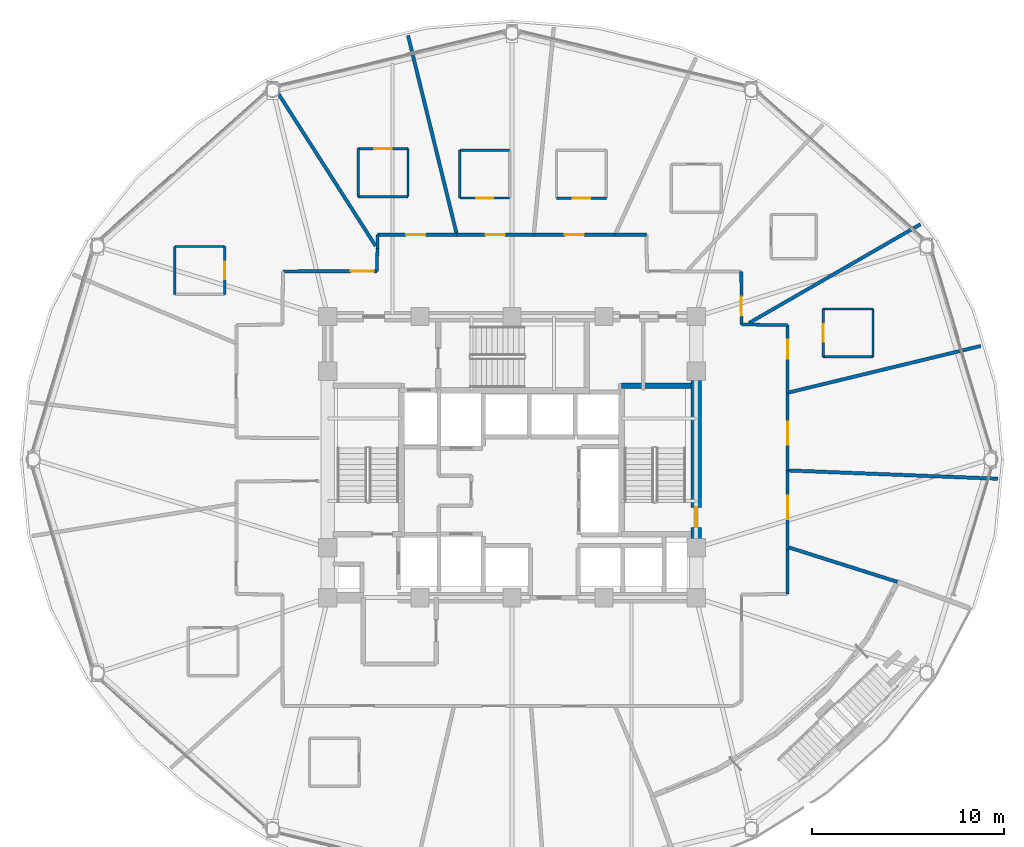
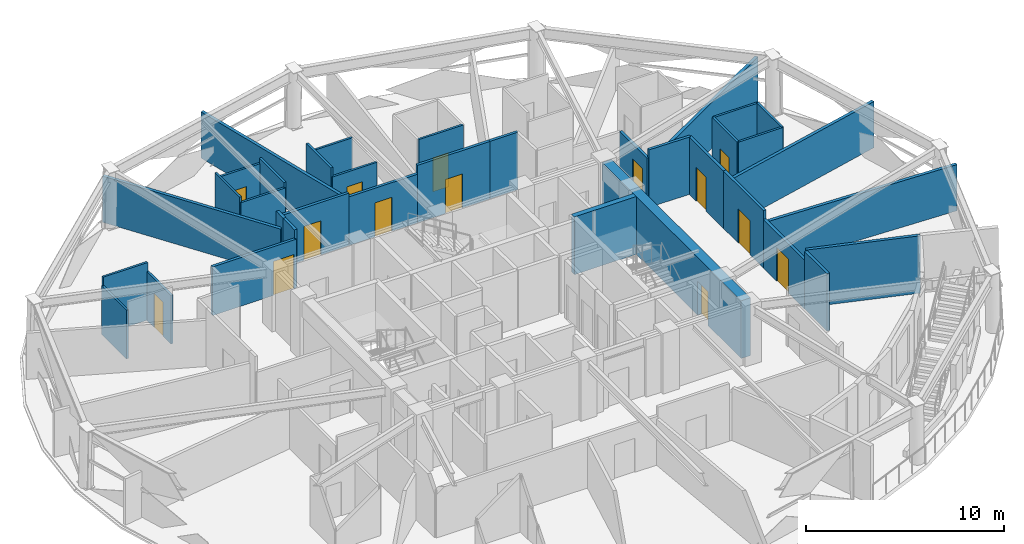
# One storey, part 13 of 18: 36 walls, 14 doors, 14 openings.
"""IFC4 building model written with IfcOpenShell, lengths in metres."""

from ifc_helpers import new_model, si_unit, direction, frame, frame_2d, origin, place, context, subcontext, project, spatial, rectangle, extrude, material, layer, layer_set, type_object, element, fill, save


model = new_model("IFC4")

# Units and contexts
model_context = context("Model", 3, precision=1e-05, world=origin(), true_north=direction((0.0, 1.0)))
body_context = subcontext(model_context, "Body", "Model", "MODEL_VIEW")
ifc_project = project(units=[si_unit("LENGTHUNIT", "METRE"), si_unit("AREAUNIT", "SQUARE_METRE"), si_unit("VOLUMEUNIT", "CUBIC_METRE"), si_unit("PLANEANGLEUNIT", "RADIAN"), si_unit("MASSUNIT", "GRAM", prefix="KILO")], contexts=[model_context])

# Site, building, storey
site_placement = place(None, origin())
site = spatial("IfcSite", under=ifc_project, at=site_placement, CompositionType="ELEMENT")
building_placement = place(site_placement, origin())
building = spatial("IfcBuilding", under=site, at=building_placement, Name="Vantalir Tower", CompositionType="ELEMENT")
storey_placement = place(building_placement, frame((0.0, 0.0, 138.449951171875)))
storey = spatial("IfcBuildingStorey", under=building, at=storey_placement, Name="L34", CompositionType="ELEMENT", Elevation=138.449951171875)

# Walls
ifc_material_1 = material(Name="Moisture-resistant en-suite partition", Category="gypsum")
ifc_layer_1 = layer(ifc_material_1, 0.125)
ifc_layer_set_1 = layer_set([ifc_layer_1], Name="Moisture-resistant en-suite partition")
wall_type_1 = type_object("IfcWallType", Name="WL-BATH-125", PredefinedType="PARTITIONING", material=ifc_layer_set_1)
for number, where, z_axis, x_axis, name in (
    (1, (47.714111328125, 30.34912109375, 0.0), (0.0, 0.0, 1.0), (1.0, 0.0, 0.0), "L34 En-suite 01 South Wall"),
    (2, (47.714111328125, 32.84912109375, 0.0), (0.0, 0.0, 1.0), (1.0, 0.0, 0.0), "L34 En-suite 01 North Wall"),
):
    element("IfcWall", number, at=place(storey_placement, frame(where, z_axis=z_axis, x_axis=x_axis)), inside=storey, type_object=wall_type_1, Name=name, PredefinedType="PARTITIONING", context=body_context, shape_type="SweptSolid", body=[
        extrude(rectangle(XDim=2.599853515625, YDim=0.125, at=frame_2d((1.2998046875, 0.0))), origin(), (0.0, 0.0, 1.0), 3.550048828125),
    ])

# Wall, opening, door
wall_1_placement = place(storey_placement, frame((47.714111328125, 30.34912109375, 0.0), z_axis=(0.0, 0.0, 1.0), x_axis=(0.0, 1.0, 0.0)))
wall_1 = element("IfcWall", 3, at=wall_1_placement, inside=storey, type_object=wall_type_1, Name="L34 En-suite 01 West Wall", PredefinedType="PARTITIONING", context=body_context, shape_type="SweptSolid", body=[
    extrude(rectangle(XDim=2.5, YDim=0.125, at=frame_2d((1.25, 0.0))), origin(), (0.0, 0.0, 1.0), 3.550048828125),
])
opening_1_placement = place(wall_1_placement, frame((0.800048828125, 0.0, 0.0)))
opening_1 = element("IfcOpeningElement", 4, at=opening_1_placement, cuts=wall_1, Name="Opening D-WC", PredefinedType="OPENING", context=body_context, shape_type="SweptSolid", body=[
    extrude(rectangle(XDim=0.89990234375, YDim=2.10009765625, at=frame_2d((0.449951171875, 1.050048828125))), frame((0.0, 0.072509765625, 0.0), z_axis=(0.0, -1.0, 0.0), x_axis=(1.0, 0.0, 0.0)), (0.0, 0.0, 1.0), 0.14501953125),
])
ifc_material_2 = material(Name="Moisture-resistant hardwood door", Category="wood")
door_type_1 = type_object("IfcDoorType", Name="DR-ENSUITE-900", OperationType="NOTDEFINED", PredefinedType="DOOR", material=ifc_material_2)
door_1_placement = place(opening_1_placement, frame((0.89990234375, 0.0, 0.0), z_axis=(0.0, 0.0, 1.0), x_axis=(-1.0, 0.0, 0.0)))
door_1 = element("IfcDoor", 5, at=door_1_placement, inside=storey, type_object=door_type_1, Name="L34 En-suite 01 Door", OperationType="SINGLE_SWING_RIGHT", OverallHeight=2.10009765625, OverallWidth=0.89990234375, PredefinedType="DOOR", context=body_context, shape_type="SweptSolid", body=[
    extrude(rectangle(XDim=0.89990234375, YDim=2.10009765625, at=frame_2d((0.449951171875, 1.050048828125))), frame((0.0, 0.02490234375, 0.0), z_axis=(0.0, -1.0, 0.0), x_axis=(1.0, 0.0, 0.0)), (0.0, 0.0, 1.0), 0.050048828125),
])
fill(opening_1, door_1)

# Wall
wall_2_placement = place(storey_placement, frame((50.31396484375, 30.34912109375, 0.0), z_axis=(0.0, 0.0, 1.0), x_axis=(0.0, 1.0, 0.0)))
element("IfcWall", 6, at=wall_2_placement, inside=storey, type_object=wall_type_1, Name="L34 En-suite 01 East Wall", PredefinedType="PARTITIONING", context=body_context, shape_type="SweptSolid", body=[
    extrude(rectangle(XDim=2.5, YDim=0.125, at=frame_2d((1.25, 0.0))), origin(), (0.0, 0.0, 1.0), 3.550048828125),
])

# Wall, opening, door
wall_3_placement = place(storey_placement, frame((33.820068359375, 38.62890625, 0.0), z_axis=(0.0, 0.0, 1.0), x_axis=(1.0, 0.0, 0.0)))
wall_3 = element("IfcWall", 7, at=wall_3_placement, inside=storey, type_object=wall_type_1, Name="L34 En-suite 04 South Wall", PredefinedType="PARTITIONING", context=body_context, shape_type="SweptSolid", body=[
    extrude(rectangle(XDim=2.599853515625, YDim=0.125, at=frame_2d((1.2998046875, 0.0))), origin(), (0.0, 0.0, 1.0), 3.550048828125),
])
opening_2_placement = place(wall_3_placement, frame((0.85009765625, 0.0, 0.0)))
opening_2 = element("IfcOpeningElement", 8, at=opening_2_placement, cuts=wall_3, Name="Opening D-WC", PredefinedType="OPENING", context=body_context, shape_type="SweptSolid", body=[
    extrude(rectangle(XDim=0.89990234375, YDim=2.10009765625, at=frame_2d((0.449951171875, 1.050048828125))), frame((0.0, 0.072509765625, 0.0), z_axis=(0.0, -1.0, 0.0), x_axis=(1.0, 0.0, 0.0)), (0.0, 0.0, 1.0), 0.14501953125),
])
door_2_placement = place(opening_2_placement, origin())
door_2 = element("IfcDoor", 9, at=door_2_placement, inside=storey, type_object=door_type_1, Name="L34 En-suite 04 Door", OperationType="SINGLE_SWING_LEFT", OverallHeight=2.10009765625, OverallWidth=0.89990234375, PredefinedType="DOOR", context=body_context, shape_type="SweptSolid", body=[
    extrude(rectangle(XDim=0.89990234375, YDim=2.10009765625, at=frame_2d((0.449951171875, 1.050048828125))), frame((0.0, 0.02490234375, 0.0), z_axis=(0.0, -1.0, 0.0), x_axis=(1.0, 0.0, 0.0)), (0.0, 0.0, 1.0), 0.050048828125),
])
fill(opening_2, door_2)

wall_4_placement = place(storey_placement, frame((28.777099609375, 38.631103515625, 0.0), z_axis=(0.0, 0.0, 1.0), x_axis=(1.0, 0.0, 0.0)))
wall_4 = element("IfcWall", 10, at=wall_4_placement, inside=storey, type_object=wall_type_1, Name="L34 En-suite 05 South Wall", PredefinedType="PARTITIONING", context=body_context, shape_type="SweptSolid", body=[
    extrude(rectangle(XDim=2.599853515625, YDim=0.125, at=frame_2d((1.2998046875, 0.0))), origin(), (0.0, 0.0, 1.0), 3.006103515625),
])
opening_3_placement = place(wall_4_placement, frame((0.85009765625, 0.0, 0.0)))
opening_3 = element("IfcOpeningElement", 11, at=opening_3_placement, cuts=wall_4, Name="Opening D-WC", PredefinedType="OPENING", context=body_context, shape_type="SweptSolid", body=[
    extrude(rectangle(XDim=0.89990234375, YDim=2.10009765625, at=frame_2d((0.449951171875, 1.050048828125))), frame((0.0, 0.072509765625, 0.0), z_axis=(0.0, -1.0, 0.0), x_axis=(1.0, 0.0, 0.0)), (0.0, 0.0, 1.0), 0.14501953125),
])
door_3_placement = place(opening_3_placement, origin())
door_3 = element("IfcDoor", 12, at=door_3_placement, inside=storey, type_object=door_type_1, Name="L34 En-suite 05 Door", OperationType="SINGLE_SWING_RIGHT", OverallHeight=2.10009765625, OverallWidth=0.89990234375, PredefinedType="DOOR", context=body_context, shape_type="SweptSolid", body=[
    extrude(rectangle(XDim=0.89990234375, YDim=2.10009765625, at=frame_2d((0.449951171875, 1.050048828125))), frame((0.0, 0.02490234375, 0.0), z_axis=(0.0, -1.0, 0.0), x_axis=(1.0, 0.0, 0.0)), (0.0, 0.0, 1.0), 0.050048828125),
])
fill(opening_3, door_3)

# Walls
wall_5_placement = place(storey_placement, frame((28.777099609375, 41.131103515625, 0.0), z_axis=(0.0, 0.0, 1.0), x_axis=(1.0, 0.0, 0.0)))
element("IfcWall", 13, at=wall_5_placement, inside=storey, type_object=wall_type_1, Name="L34 En-suite 05 North Wall", PredefinedType="PARTITIONING", context=body_context, shape_type="SweptSolid", body=[
    extrude(rectangle(XDim=2.599853515625, YDim=0.125, at=frame_2d((1.2998046875, 0.0))), origin(), (0.0, 0.0, 1.0), 3.006103515625),
])
wall_6_placement = place(storey_placement, frame((28.777099609375, 38.631103515625, 0.0), z_axis=(0.0, 0.0, 1.0), x_axis=(0.0, 1.0, 0.0)))
element("IfcWall", 14, at=wall_6_placement, inside=storey, type_object=wall_type_1, Name="L34 En-suite 05 West Wall", PredefinedType="PARTITIONING", context=body_context, shape_type="SweptSolid", body=[
    extrude(rectangle(XDim=2.5, YDim=0.125, at=frame_2d((1.25, 0.0))), origin(), (0.0, 0.0, 1.0), 3.550048828125),
])
wall_7_placement = place(storey_placement, frame((23.47705078125, 38.700927734375, 0.0), z_axis=(0.0, 0.0, 1.0), x_axis=(1.0, 0.0, 0.0)))
element("IfcWall", 15, at=wall_7_placement, inside=storey, type_object=wall_type_1, Name="L34 En-suite 06 South Wall", PredefinedType="PARTITIONING", context=body_context, shape_type="SweptSolid", body=[
    extrude(rectangle(XDim=2.599853515625, YDim=0.125, at=frame_2d((1.2998046875, 0.0))), origin(), (0.0, 0.0, 1.0), 3.238037109375),
])

# Wall, opening, door
wall_8_placement = place(storey_placement, frame((23.47705078125, 41.200927734375, 0.0), z_axis=(0.0, 0.0, 1.0), x_axis=(1.0, 0.0, 0.0)))
wall_8 = element("IfcWall", 16, at=wall_8_placement, inside=storey, type_object=wall_type_1, Name="L34 En-suite 06 North Wall", PredefinedType="PARTITIONING", context=body_context, shape_type="SweptSolid", body=[
    extrude(rectangle(XDim=2.599853515625, YDim=0.125, at=frame_2d((1.2998046875, 0.0))), origin(), (0.0, 0.0, 1.0), 3.238037109375),
])
opening_4_placement = place(wall_8_placement, frame((0.85009765625, 0.0, 0.0)))
opening_4 = element("IfcOpeningElement", 17, at=opening_4_placement, cuts=wall_8, Name="Opening D-WC", PredefinedType="OPENING", context=body_context, shape_type="SweptSolid", body=[
    extrude(rectangle(XDim=0.89990234375, YDim=2.10009765625, at=frame_2d((0.449951171875, 1.050048828125))), frame((0.0, 0.072509765625, 0.0), z_axis=(0.0, -1.0, 0.0), x_axis=(1.0, 0.0, 0.0)), (0.0, 0.0, 1.0), 0.14501953125),
])
door_4_placement = place(opening_4_placement, frame((0.89990234375, 0.0, 0.0), z_axis=(0.0, 0.0, 1.0), x_axis=(-1.0, 0.0, 0.0)))
door_4 = element("IfcDoor", 18, at=door_4_placement, inside=storey, type_object=door_type_1, Name="L34 En-suite 06 Door", OperationType="SINGLE_SWING_LEFT", OverallHeight=2.10009765625, OverallWidth=0.89990234375, PredefinedType="DOOR", context=body_context, shape_type="SweptSolid", body=[
    extrude(rectangle(XDim=0.89990234375, YDim=2.10009765625, at=frame_2d((0.449951171875, 1.050048828125))), frame((0.0, 0.02490234375, 0.0), z_axis=(0.0, -1.0, 0.0), x_axis=(1.0, 0.0, 0.0)), (0.0, 0.0, 1.0), 0.050048828125),
])
fill(opening_4, door_4)

# Walls
for number, where, z_axis, x_axis, name in (
    (19, (23.47705078125, 38.700927734375, 0.0), (0.0, 0.0, 1.0), (0.0, 1.0, 0.0), "L34 En-suite 06 West Wall"),
    (20, (26.076904296875, 38.700927734375, 0.0), (0.0, 0.0, 1.0), (0.0, 1.0, 0.0), "L34 En-suite 06 East Wall"),
):
    element("IfcWall", number, at=place(storey_placement, frame(where, z_axis=z_axis, x_axis=x_axis)), inside=storey, type_object=wall_type_1, Name=name, PredefinedType="PARTITIONING", context=body_context, shape_type="SweptSolid", body=[
        extrude(rectangle(XDim=2.5, YDim=0.125, at=frame_2d((1.25, 0.0))), origin(), (0.0, 0.0, 1.0), 3.550048828125),
    ])
wall_9_placement = place(storey_placement, frame((13.924072265625, 36.10595703125, 0.0), z_axis=(0.0, 0.0, 1.0), x_axis=(1.0, 0.0, 0.0)))
element("IfcWall", 21, at=wall_9_placement, inside=storey, type_object=wall_type_1, Name="L34 En-suite 07 North Wall", PredefinedType="PARTITIONING", context=body_context, shape_type="SweptSolid", body=[
    extrude(rectangle(XDim=2.599853515625, YDim=0.125, at=frame_2d((1.2998046875, 0.0))), origin(), (0.0, 0.0, 1.0), 3.550048828125),
])
wall_10_placement = place(storey_placement, frame((13.924072265625, 33.60595703125, 0.0), z_axis=(0.0, 0.0, 1.0), x_axis=(0.0, 1.0, 0.0)))
element("IfcWall", 22, at=wall_10_placement, inside=storey, type_object=wall_type_1, Name="L34 En-suite 07 West Wall", PredefinedType="PARTITIONING", context=body_context, shape_type="SweptSolid", body=[
    extrude(rectangle(XDim=2.5, YDim=0.125, at=frame_2d((1.25, 0.0))), origin(), (0.0, 0.0, 1.0), 3.006103515625),
])

# Wall, opening, door
wall_11_placement = place(storey_placement, frame((16.52392578125, 33.60595703125, 0.0), z_axis=(0.0, 0.0, 1.0), x_axis=(0.0, 1.0, 0.0)))
wall_11 = element("IfcWall", 23, at=wall_11_placement, inside=storey, type_object=wall_type_1, Name="L34 En-suite 07 East Wall", PredefinedType="PARTITIONING", context=body_context, shape_type="SweptSolid", body=[
    extrude(rectangle(XDim=2.5, YDim=0.125, at=frame_2d((1.25, 0.0))), origin(), (0.0, 0.0, 1.0), 3.006103515625),
])
opening_5_placement = place(wall_11_placement, frame((0.800048828125, 0.0, 0.0)))
opening_5 = element("IfcOpeningElement", 24, at=opening_5_placement, cuts=wall_11, Name="Opening D-WC", PredefinedType="OPENING", context=body_context, shape_type="SweptSolid", body=[
    extrude(rectangle(XDim=0.89990234375, YDim=2.10009765625, at=frame_2d((0.449951171875, 1.050048828125))), frame((0.0, 0.072509765625, 0.0), z_axis=(0.0, -1.0, 0.0), x_axis=(1.0, 0.0, 0.0)), (0.0, 0.0, 1.0), 0.14501953125),
])
door_5_placement = place(opening_5_placement, origin())
door_5 = element("IfcDoor", 25, at=door_5_placement, inside=storey, type_object=door_type_1, Name="L34 En-suite 07 Door", OperationType="SINGLE_SWING_RIGHT", OverallHeight=2.10009765625, OverallWidth=0.89990234375, PredefinedType="DOOR", context=body_context, shape_type="SweptSolid", body=[
    extrude(rectangle(XDim=0.89990234375, YDim=2.10009765625, at=frame_2d((0.449951171875, 1.050048828125))), frame((0.0, 0.02490234375, 0.0), z_axis=(0.0, -1.0, 0.0), x_axis=(1.0, 0.0, 0.0)), (0.0, 0.0, 1.0), 0.050048828125),
])
fill(opening_5, door_5)

ifc_material_3 = material(Name="Concrete C60/75", Category="concrete")
ifc_layer_2 = layer(ifc_material_3, 0.550048828125)
ifc_layer_set_2 = layer_set([ifc_layer_2], Name="Concrete C60/75")
wall_type_2 = type_object("IfcWallType", Name="WL-CORE-550", PredefinedType="SHEAR", material=ifc_layer_set_2)
wall_12_placement = place(storey_placement, frame((41.10009765625, 18.074951171875, 0.0), z_axis=(0.0, 0.0, 1.0), x_axis=(0.0, 1.0, 0.0)))
wall_12 = element("IfcWall", 26, at=wall_12_placement, inside=storey, type_object=wall_type_2, Name="L34 Core Shear Wall East", PredefinedType="SHEAR", context=body_context, shape_type="SweptSolid", body=[
    extrude(rectangle(XDim=14.10009765625, YDim=0.550048828125, at=frame_2d((7.050048828125, 0.0))), origin(), (0.0, 0.0, 1.0), 3.570068359375),
])
opening_6_placement = place(wall_12_placement, frame((3.385009765625, 0.0, 0.0)))
opening_6 = element("IfcOpeningElement", 27, at=opening_6_placement, cuts=wall_12, Name="Opening D-ST", PredefinedType="OPENING", context=body_context, shape_type="SweptSolid", body=[
    extrude(rectangle(XDim=1.050048828125, YDim=2.10009765625, at=frame_2d((0.52490234375, 1.050048828125))), frame((0.0, 0.284912109375, 0.0), z_axis=(0.0, -1.0, 0.0), x_axis=(1.0, 0.0, 0.0)), (0.0, 0.0, 1.0), 0.570068359375),
])
ifc_material_4 = material(Name="Fire-rated steel door leaf", Category="steel")
door_type_2 = type_object("IfcDoorType", Name="DR-FIRE-STAIR-1050", OperationType="NOTDEFINED", PredefinedType="DOOR", material=ifc_material_4)
door_6_placement = place(opening_6_placement, origin())
door_6 = element("IfcDoor", 28, at=door_6_placement, inside=storey, type_object=door_type_2, Name="L34 Exit Stair ST2 Fire Door", OperationType="SINGLE_SWING_LEFT", OverallHeight=2.10009765625, OverallWidth=1.050048828125, PredefinedType="DOOR", context=body_context, shape_type="SweptSolid", body=[
    extrude(rectangle(XDim=1.050048828125, YDim=2.10009765625, at=frame_2d((0.52490234375, 1.050048828125))), frame((0.0, 0.02490234375, 0.0), z_axis=(0.0, -1.0, 0.0), x_axis=(1.0, 0.0, 0.0)), (0.0, 0.0, 1.0), 0.050048828125),
])
fill(opening_6, door_6)

ifc_material_5 = material(Name="Fire-rated hotel corridor acoustic partition", Category="gypsum")
ifc_layer_3 = layer(ifc_material_5, 0.159912109375)
ifc_layer_set_3 = layer_set([ifc_layer_3], Name="Fire-rated hotel corridor acoustic partition")
wall_type_3 = type_object("IfcWallType", Name="WL-CORR-160", PredefinedType="PARTITIONING", material=ifc_layer_set_3)
wall_13_placement = place(storey_placement, frame((19.56005859375, 34.81201171875, 0.0), z_axis=(0.0, 0.0, 1.0), x_axis=(0.999999821253, 0.000597907217, 0.0)))
wall_13 = element("IfcWall", 29, at=wall_13_placement, inside=storey, type_object=wall_type_3, Name="L34 Corridor Partition 07", PredefinedType="PARTITIONING", context=body_context, shape_type="SweptSolid", body=[
    extrude(rectangle(XDim=4.89990234375, YDim=0.159912109375, at=frame_2d((2.449951171875, 0.0))), origin(), (0.0, 0.0, 1.0), 3.006103515625),
])
opening_7_placement = place(wall_13_placement, frame((3.5400390625, 0.0, 0.0)))
opening_7 = element("IfcOpeningElement", 30, at=opening_7_placement, cuts=wall_13, Name="Opening D-STE", PredefinedType="OPENING", context=body_context, shape_type="SweptSolid", body=[
    extrude(rectangle(XDim=1.199951171875, YDim=2.10009765625, at=frame_2d((0.60009765625, 1.050048828125))), frame((0.0, 0.08984375, 0.0), z_axis=(0.0, -1.0, 0.0), x_axis=(1.0, 0.0, 0.0)), (0.0, 0.0, 1.0), 0.179931640625),
])
ifc_material_6 = material(Name="Solid-core teak veneer suite entrance door", Category="wood")
door_type_3 = type_object("IfcDoorType", Name="DR-SUITE-ENTRY-1200", OperationType="NOTDEFINED", PredefinedType="DOOR", material=ifc_material_6)
door_7_placement = place(opening_7_placement, origin())
door_7 = element("IfcDoor", 31, at=door_7_placement, inside=storey, type_object=door_type_3, Name="L34 Executive Club Hotel Suite 07 Door", OperationType="SINGLE_SWING_RIGHT", OverallHeight=2.10009765625, OverallWidth=1.199951171875, PredefinedType="DOOR", context=body_context, shape_type="SweptSolid", body=[
    extrude(rectangle(XDim=1.199951171875, YDim=2.10009765625, at=frame_2d((0.60009765625, 1.050048828125))), frame((0.0, 0.02490234375, 0.0), z_axis=(0.0, -1.0, 0.0), x_axis=(1.0, 0.0, 0.0)), (0.0, 0.0, 1.0), 0.050048828125),
])
fill(opening_7, door_7)

# Walls
wall_14_placement = place(storey_placement, frame((24.4599609375, 34.81494140625, 0.0), z_axis=(0.0, 0.0, 1.0), x_axis=(0.018696087505, 0.999825212881, 0.0)))
element("IfcWall", 32, at=wall_14_placement, inside=storey, type_object=wall_type_3, Name="L34 Corridor Partition 08", PredefinedType="PARTITIONING", context=body_context, shape_type="SweptSolid", body=[
    extrude(rectangle(XDim=1.17529296875, YDim=0.159912109375, at=frame_2d((0.587646484375, 0.0))), origin(), (0.0, 0.0, 1.0), 3.550048828125),
])
wall_15_placement = place(storey_placement, frame((24.48193359375, 35.989990234375, 0.0), z_axis=(0.0, 0.0, 1.0), x_axis=(0.019524896808, 0.999809371033, 0.0)))
element("IfcWall", 33, at=wall_15_placement, inside=storey, type_object=wall_type_3, Name="L34 Corridor Partition 09", PredefinedType="PARTITIONING", context=body_context, shape_type="SweptSolid", body=[
    extrude(rectangle(XDim=0.725341796875, YDim=0.159912109375, at=frame_2d((0.36279296875, 0.0))), origin(), (0.0, 0.0, 1.0), 3.550048828125),
])

# Wall, opening, door
wall_16_placement = place(storey_placement, frame((24.49609375, 36.715087890625, 0.0), z_axis=(0.0, 0.0, 1.0), x_axis=(1.0, 0.0, 0.0)))
wall_16 = element("IfcWall", 34, at=wall_16_placement, inside=storey, type_object=wall_type_3, Name="L34 Corridor Partition 10", PredefinedType="PARTITIONING", context=body_context, shape_type="SweptSolid", body=[
    extrude(rectangle(XDim=4.130859375, YDim=0.159912109375, at=frame_2d((2.0654296875, 0.0))), origin(), (0.0, 0.0, 1.0), 3.238037109375),
])
opening_8_placement = place(wall_16_placement, frame((1.491943359375, 0.0, 0.0)))
opening_8 = element("IfcOpeningElement", 35, at=opening_8_placement, cuts=wall_16, Name="Opening D-GUEST", PredefinedType="OPENING", context=body_context, shape_type="SweptSolid", body=[
    extrude(rectangle(XDim=1.0, YDim=2.10009765625, at=frame_2d((0.5, 1.050048828125))), frame((0.0, 0.08984375, 0.0), z_axis=(0.0, -1.0, 0.0), x_axis=(1.0, 0.0, 0.0)), (0.0, 0.0, 1.0), 0.179931640625),
])
ifc_material_7 = material(Name="Solid-core teak veneer acoustic fire door", Category="wood")
door_type_4 = type_object("IfcDoorType", Name="DR-GUEST-ENTRY-1000", OperationType="NOTDEFINED", PredefinedType="DOOR", material=ifc_material_7)
door_8_placement = place(opening_8_placement, origin())
door_8 = element("IfcDoor", 36, at=door_8_placement, inside=storey, type_object=door_type_4, Name="L34 Deluxe King Hotel Room 06 Door", OperationType="SINGLE_SWING_LEFT", OverallHeight=2.10009765625, OverallWidth=1.0, PredefinedType="DOOR", context=body_context, shape_type="SweptSolid", body=[
    extrude(rectangle(XDim=1.0, YDim=2.10009765625, at=frame_2d((0.5, 1.050048828125))), frame((0.0, 0.02490234375, 0.0), z_axis=(0.0, -1.0, 0.0), x_axis=(1.0, 0.0, 0.0)), (0.0, 0.0, 1.0), 0.050048828125),
])
fill(opening_8, door_8)

wall_17_placement = place(storey_placement, frame((28.626953125, 36.715087890625, 0.0), z_axis=(0.0, 0.0, 1.0), x_axis=(1.0, 0.0, 0.0)))
wall_17 = element("IfcWall", 37, at=wall_17_placement, inside=storey, type_object=wall_type_3, Name="L34 Corridor Partition 11", PredefinedType="PARTITIONING", context=body_context, shape_type="SweptSolid", body=[
    extrude(rectangle(XDim=4.007080078125, YDim=0.159912109375, at=frame_2d((2.00341796875, 0.0))), origin(), (0.0, 0.0, 1.0), 3.006103515625),
])
opening_9_placement = place(wall_17_placement, frame((1.50390625, 0.0, 0.0)))
opening_9 = element("IfcOpeningElement", 38, at=opening_9_placement, cuts=wall_17, Name="Opening D-GUEST", PredefinedType="OPENING", context=body_context, shape_type="SweptSolid", body=[
    extrude(rectangle(XDim=1.0, YDim=2.10009765625, at=frame_2d((0.5, 1.050048828125))), frame((0.0, 0.08984375, 0.0), z_axis=(0.0, -1.0, 0.0), x_axis=(1.0, 0.0, 0.0)), (0.0, 0.0, 1.0), 0.179931640625),
])
door_9_placement = place(opening_9_placement, origin())
door_9 = element("IfcDoor", 39, at=door_9_placement, inside=storey, type_object=door_type_4, Name="L34 Twin Queen Hotel Room 05 Door", OperationType="SINGLE_SWING_RIGHT", OverallHeight=2.10009765625, OverallWidth=1.0, PredefinedType="DOOR", context=body_context, shape_type="SweptSolid", body=[
    extrude(rectangle(XDim=1.0, YDim=2.10009765625, at=frame_2d((0.5, 1.050048828125))), frame((0.0, 0.02490234375, 0.0), z_axis=(0.0, -1.0, 0.0), x_axis=(1.0, 0.0, 0.0)), (0.0, 0.0, 1.0), 0.050048828125),
])
fill(opening_9, door_9)

wall_18_placement = place(storey_placement, frame((32.634033203125, 36.715087890625, 0.0), z_axis=(0.0, 0.0, 1.0), x_axis=(1.0, 0.0, 0.0)))
wall_18 = element("IfcWall", 40, at=wall_18_placement, inside=storey, type_object=wall_type_3, Name="L34 Corridor Partition 12", PredefinedType="PARTITIONING", context=body_context, shape_type="SweptSolid", body=[
    extrude(rectangle(XDim=4.23291015625, YDim=0.159912109375, at=frame_2d((2.116455078125, 0.0))), origin(), (0.0, 0.0, 1.0), 3.550048828125),
])
opening_10_placement = place(wall_18_placement, frame((1.615966796875, 0.0, 0.0)))
opening_10 = element("IfcOpeningElement", 41, at=opening_10_placement, cuts=wall_18, Name="Opening D-GUEST", PredefinedType="OPENING", context=body_context, shape_type="SweptSolid", body=[
    extrude(rectangle(XDim=1.0, YDim=2.10009765625, at=frame_2d((0.5, 1.050048828125))), frame((0.0, 0.08984375, 0.0), z_axis=(0.0, -1.0, 0.0), x_axis=(1.0, 0.0, 0.0)), (0.0, 0.0, 1.0), 0.179931640625),
])
door_10_placement = place(opening_10_placement, origin())
door_10 = element("IfcDoor", 42, at=door_10_placement, inside=storey, type_object=door_type_4, Name="L34 Twin Queen Hotel Room 04 Door", OperationType="SINGLE_SWING_LEFT", OverallHeight=2.10009765625, OverallWidth=1.0, PredefinedType="DOOR", context=body_context, shape_type="SweptSolid", body=[
    extrude(rectangle(XDim=1.0, YDim=2.10009765625, at=frame_2d((0.5, 1.050048828125))), frame((0.0, 0.02490234375, 0.0), z_axis=(0.0, -1.0, 0.0), x_axis=(1.0, 0.0, 0.0)), (0.0, 0.0, 1.0), 0.050048828125),
])
fill(opening_10, door_10)

# Wall
wall_19_placement = place(storey_placement, frame((36.866943359375, 36.715087890625, 0.0), z_axis=(0.0, 0.0, 1.0), x_axis=(1.0, 0.0, 0.0)))
element("IfcWall", 43, at=wall_19_placement, inside=storey, type_object=wall_type_3, Name="L34 Corridor Partition 13", PredefinedType="PARTITIONING", context=body_context, shape_type="SweptSolid", body=[
    extrude(rectangle(XDim=1.633056640625, YDim=0.159912109375, at=frame_2d((0.81640625, 0.0))), origin(), (0.0, 0.0, 1.0), 3.550048828125),
])

# Wall, opening, door
wall_20_placement = place(storey_placement, frame((43.447021484375, 34.80810546875, 0.0), z_axis=(0.0, 0.0, 1.0), x_axis=(0.006526585281, -0.999978701615, 0.0)))
wall_20 = element("IfcWall", 44, at=wall_20_placement, inside=storey, type_object=wall_type_3, Name="L34 Corridor Partition 17", PredefinedType="PARTITIONING", context=body_context, shape_type="SweptSolid", body=[
    extrude(rectangle(XDim=2.76806640625, YDim=0.159912109375, at=frame_2d((1.384033203125, 0.0))), origin(), (0.0, 0.0, 1.0), 3.006103515625),
])
opening_11_placement = place(wall_20_placement, frame((1.318115234375, 0.0, 0.0)))
opening_11 = element("IfcOpeningElement", 45, at=opening_11_placement, cuts=wall_20, Name="Opening D-GUEST", PredefinedType="OPENING", context=body_context, shape_type="SweptSolid", body=[
    extrude(rectangle(XDim=1.0, YDim=2.10009765625, at=frame_2d((0.5, 1.050048828125))), frame((0.0, 0.08984375, 0.0), z_axis=(0.0, -1.0, 0.0), x_axis=(1.0, 0.0, 0.0)), (0.0, 0.0, 1.0), 0.179931640625),
])
door_11_placement = place(opening_11_placement, origin())
door_11 = element("IfcDoor", 46, at=door_11_placement, inside=storey, type_object=door_type_4, Name="L34 Deluxe King Hotel Room 02 Door", OperationType="SINGLE_SWING_LEFT", OverallHeight=2.10009765625, OverallWidth=1.0, PredefinedType="DOOR", context=body_context, shape_type="SweptSolid", body=[
    extrude(rectangle(XDim=1.0, YDim=2.10009765625, at=frame_2d((0.5, 1.050048828125))), frame((0.0, 0.02490234375, 0.0), z_axis=(0.0, -1.0, 0.0), x_axis=(1.0, 0.0, 0.0)), (0.0, 0.0, 1.0), 0.050048828125),
])
fill(opening_11, door_11)

# Wall
wall_21_placement = place(storey_placement, frame((43.465087890625, 32.0400390625, 0.0), z_axis=(0.0, 0.0, 1.0), x_axis=(0.999860857432, -0.016681300165, 0.0)))
element("IfcWall", 47, at=wall_21_placement, inside=storey, type_object=wall_type_3, Name="L34 Corridor Partition 18", PredefinedType="PARTITIONING", context=body_context, shape_type="SweptSolid", body=[
    extrude(rectangle(XDim=2.400146484375, YDim=0.159912109375, at=frame_2d((1.2001953125, 0.0))), origin(), (0.0, 0.0, 1.0), 3.550048828125),
])

# Wall, opening, door
wall_22_placement = place(storey_placement, frame((45.864990234375, 32.0, 0.0), z_axis=(0.0, 0.0, 1.0), x_axis=(0.0, -1.0, 0.0)))
wall_22 = element("IfcWall", 48, at=wall_22_placement, inside=storey, type_object=wall_type_3, Name="L34 Corridor Partition 19", PredefinedType="PARTITIONING", context=body_context, shape_type="SweptSolid", body=[
    extrude(rectangle(XDim=3.52001953125, YDim=0.159912109375, at=frame_2d((1.760009765625, 0.0))), origin(), (0.0, 0.0, 1.0), 3.550048828125),
])
opening_12_placement = place(wall_22_placement, frame((0.7470703125, 0.0, 0.0)))
opening_12 = element("IfcOpeningElement", 49, at=opening_12_placement, cuts=wall_22, Name="Opening D-GUEST", PredefinedType="OPENING", context=body_context, shape_type="SweptSolid", body=[
    extrude(rectangle(XDim=1.0, YDim=2.10009765625, at=frame_2d((0.5, 1.050048828125))), frame((0.0, 0.08984375, 0.0), z_axis=(0.0, -1.0, 0.0), x_axis=(1.0, 0.0, 0.0)), (0.0, 0.0, 1.0), 0.179931640625),
])
door_12_placement = place(opening_12_placement, origin())
door_12 = element("IfcDoor", 50, at=door_12_placement, inside=storey, type_object=door_type_4, Name="L34 Twin Queen Hotel Room 01 Door", OperationType="SINGLE_SWING_RIGHT", OverallHeight=2.10009765625, OverallWidth=1.0, PredefinedType="DOOR", context=body_context, shape_type="SweptSolid", body=[
    extrude(rectangle(XDim=1.0, YDim=2.10009765625, at=frame_2d((0.5, 1.050048828125))), frame((0.0, 0.02490234375, 0.0), z_axis=(0.0, -1.0, 0.0), x_axis=(1.0, 0.0, 0.0)), (0.0, 0.0, 1.0), 0.050048828125),
])
fill(opening_12, door_12)

wall_23_placement = place(storey_placement, frame((45.864990234375, 28.47998046875, 0.0), z_axis=(0.0, 0.0, 1.0), x_axis=(0.0, -1.0, 0.0)))
wall_23 = element("IfcWall", 51, at=wall_23_placement, inside=storey, type_object=wall_type_3, Name="L34 Corridor Partition 20", PredefinedType="PARTITIONING", context=body_context, shape_type="SweptSolid", body=[
    extrude(rectangle(XDim=4.046875, YDim=0.159912109375, at=frame_2d((2.0234375, 0.0))), origin(), (0.0, 0.0, 1.0), 3.550048828125),
])
opening_13_placement = place(wall_23_placement, frame((1.498046875, 0.0, 0.0)))
opening_13 = element("IfcOpeningElement", 52, at=opening_13_placement, cuts=wall_23, Name="Opening D-STE", PredefinedType="OPENING", context=body_context, shape_type="SweptSolid", body=[
    extrude(rectangle(XDim=1.199951171875, YDim=2.10009765625, at=frame_2d((0.60009765625, 1.050048828125))), frame((0.0, 0.08984375, 0.0), z_axis=(0.0, -1.0, 0.0), x_axis=(1.0, 0.0, 0.0)), (0.0, 0.0, 1.0), 0.179931640625),
])
door_13_placement = place(opening_13_placement, origin())
door_13 = element("IfcDoor", 53, at=door_13_placement, inside=storey, type_object=door_type_3, Name="L34 Executive Sky Boardroom 16 Door", OperationType="SINGLE_SWING_LEFT", OverallHeight=2.10009765625, OverallWidth=1.199951171875, PredefinedType="DOOR", context=body_context, shape_type="SweptSolid", body=[
    extrude(rectangle(XDim=1.199951171875, YDim=2.10009765625, at=frame_2d((0.60009765625, 1.050048828125))), frame((0.0, 0.02490234375, 0.0), z_axis=(0.0, -1.0, 0.0), x_axis=(1.0, 0.0, 0.0)), (0.0, 0.0, 1.0), 0.050048828125),
])
fill(opening_13, door_13)

wall_24_placement = place(storey_placement, frame((45.864990234375, 24.43310546875, 0.0), z_axis=(0.0, 0.0, 1.0), x_axis=(0.0, -1.0, 0.0)))
wall_24 = element("IfcWall", 54, at=wall_24_placement, inside=storey, type_object=wall_type_3, Name="L34 Corridor Partition 21", PredefinedType="PARTITIONING", context=body_context, shape_type="SweptSolid", body=[
    extrude(rectangle(XDim=4.16015625, YDim=0.159912109375, at=frame_2d((2.080078125, 0.0))), origin(), (0.0, 0.0, 1.0), 3.006103515625),
])
opening_14_placement = place(wall_24_placement, frame((1.3330078125, 0.0, 0.0)))
opening_14 = element("IfcOpeningElement", 55, at=opening_14_placement, cuts=wall_24, Name="Opening D-STE", PredefinedType="OPENING", context=body_context, shape_type="SweptSolid", body=[
    extrude(rectangle(XDim=1.199951171875, YDim=2.10009765625, at=frame_2d((0.60009765625, 1.050048828125))), frame((0.0, 0.08984375, 0.0), z_axis=(0.0, -1.0, 0.0), x_axis=(1.0, 0.0, 0.0)), (0.0, 0.0, 1.0), 0.179931640625),
])
door_14_placement = place(opening_14_placement, origin())
door_14 = element("IfcDoor", 56, at=door_14_placement, inside=storey, type_object=door_type_3, Name="L34 Club Reading Lounge 15 Door", OperationType="SINGLE_SWING_RIGHT", OverallHeight=2.10009765625, OverallWidth=1.199951171875, PredefinedType="DOOR", context=body_context, shape_type="SweptSolid", body=[
    extrude(rectangle(XDim=1.199951171875, YDim=2.10009765625, at=frame_2d((0.60009765625, 1.050048828125))), frame((0.0, 0.02490234375, 0.0), z_axis=(0.0, -1.0, 0.0), x_axis=(1.0, 0.0, 0.0)), (0.0, 0.0, 1.0), 0.050048828125),
])
fill(opening_14, door_14)

# Walls
wall_25_placement = place(storey_placement, frame((45.864990234375, 20.27294921875, 0.0), z_axis=(0.0, 0.0, 1.0), x_axis=(0.0, -1.0, 0.0)))
element("IfcWall", 57, at=wall_25_placement, inside=storey, type_object=wall_type_3, Name="L34 Corridor Partition 22", PredefinedType="PARTITIONING", context=body_context, shape_type="SweptSolid", body=[
    extrude(rectangle(XDim=2.27685546875, YDim=0.159912109375, at=frame_2d((1.138427734375, 0.0))), origin(), (0.0, 0.0, 1.0), 3.550048828125),
])
ifc_material_8 = material(Name="Twin-stud acoustic fire-rated gypsum partition", Category="gypsum")
ifc_layer_4 = layer(ifc_material_8, 0.179931640625)
ifc_layer_set_4 = layer_set([ifc_layer_4], Name="Twin-stud acoustic fire-rated gypsum partition")
wall_type_4 = type_object("IfcWallType", Name="WL-GUEST-180", PredefinedType="PARTITIONING", material=ifc_layer_set_4)
wall_26_placement = place(storey_placement, frame((45.93994140625, 28.498046875, 0.0), z_axis=(0.0, 0.0, 1.0), x_axis=(0.971865254001, 0.235537530055, 0.0)))
element("IfcWall", 58, at=wall_26_placement, inside=storey, type_object=wall_type_4, Name="L34 Radial Suite Partition 01", PredefinedType="PARTITIONING", context=body_context, shape_type="SweptSolid", body=[
    extrude(rectangle(XDim=10.286376953125, YDim=0.179931640625, at=frame_2d((5.14306640625, 0.0))), origin(), (0.0, 0.0, 1.0), 2.85205078125),
])
wall_27_placement = place(storey_placement, frame((43.85302734375, 32.114990234375, 0.0), z_axis=(0.0, 0.0, 1.0), x_axis=(0.866521941185, 0.499138984096, 0.0)))
element("IfcWall", 59, at=wall_27_placement, inside=storey, type_object=wall_type_4, Name="L34 Radial Suite Partition 02", PredefinedType="PARTITIONING", context=body_context, shape_type="SweptSolid", body=[
    extrude(rectangle(XDim=10.313720703125, YDim=0.179931640625, at=frame_2d((5.15673828125, 0.0))), origin(), (0.0, 0.0, 1.0), 2.85205078125),
])
wall_28_placement = place(storey_placement, frame((28.60888671875, 36.7900390625, 0.0), z_axis=(0.0, 0.0, 1.0), x_axis=(-0.238128203696, 0.971233730162, 0.0)))
element("IfcWall", 60, at=wall_28_placement, inside=storey, type_object=wall_type_4, Name="L34 Radial Suite Partition 06", PredefinedType="PARTITIONING", context=body_context, shape_type="SweptSolid", body=[
    extrude(rectangle(XDim=10.615478515625, YDim=0.179931640625, at=frame_2d((5.3076171875, 0.0))), origin(), (0.0, 0.0, 1.0), 2.85205078125),
])
wall_29_placement = place(storey_placement, frame((24.385009765625, 36.14208984375, 0.0), z_axis=(0.0, 0.0, 1.0), x_axis=(-0.538194304693, 0.842820793761, 0.0)))
element("IfcWall", 61, at=wall_29_placement, inside=storey, type_object=wall_type_4, Name="L34 Radial Suite Partition 07", PredefinedType="PARTITIONING", context=body_context, shape_type="SweptSolid", body=[
    extrude(rectangle(XDim=10.152587890625, YDim=0.179931640625, at=frame_2d((5.076171875, 0.0))), origin(), (0.0, 0.0, 1.0), 2.85205078125),
])
wall_30_placement = place(storey_placement, frame((45.93994140625, 20.416015625, 0.0), z_axis=(0.0, 0.0, 1.0), x_axis=(0.953159705347, -0.302467479414, 0.0)))
element("IfcWall", 62, at=wall_30_placement, inside=storey, type_object=wall_type_4, Name="L34 Radial Suite Partition 15", PredefinedType="PARTITIONING", context=body_context, shape_type="SweptSolid", body=[
    extrude(rectangle(XDim=5.927734375, YDim=0.179931640625, at=frame_2d((2.9638671875, 0.0))), origin(), (0.0, 0.0, 1.0), 3.550048828125),
])
wall_31_placement = place(storey_placement, frame((45.93994140625, 24.429931640625, 0.0), z_axis=(0.0, 0.0, 1.0), x_axis=(0.999220183073, -0.039484499998, 0.0)))
element("IfcWall", 63, at=wall_31_placement, inside=storey, type_object=wall_type_4, Name="L34 Radial Suite Partition 16", PredefinedType="PARTITIONING", context=body_context, shape_type="SweptSolid", body=[
    extrude(rectangle(XDim=10.888671875, YDim=0.179931640625, at=frame_2d((5.4443359375, 0.0))), origin(), (0.0, 0.0, 1.0), 2.85205078125),
])
ifc_material_9 = material(Name="Concrete C50/60", Category="concrete")
ifc_layer_5 = layer(ifc_material_9, 0.300048828125)
ifc_layer_set_5 = layer_set([ifc_layer_5], Name="Concrete C50/60")
wall_type_5 = type_object("IfcWallType", Name="WL-STAIR-300", PredefinedType="SHEAR", material=ifc_layer_set_5)
wall_32_placement = place(storey_placement, frame((37.2099609375, 28.85009765625, 0.0), z_axis=(0.0, 0.0, 1.0), x_axis=(1.0, 0.0, 0.0)))
element("IfcWall", 64, at=wall_32_placement, inside=storey, type_object=wall_type_5, Name="L34 Stair ST2 North Wall", PredefinedType="SHEAR", context=body_context, shape_type="SweptSolid", body=[
    extrude(rectangle(XDim=3.614990234375, YDim=0.300048828125, at=frame_2d((1.8076171875, 0.0))), origin(), (0.0, 0.0, 1.0), 3.570068359375),
])

save(model, "model.ifc")
